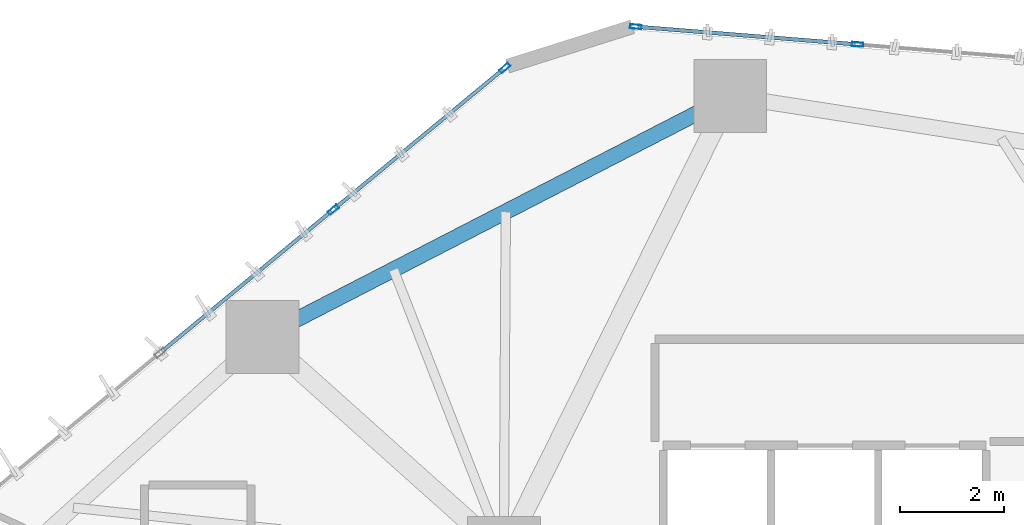
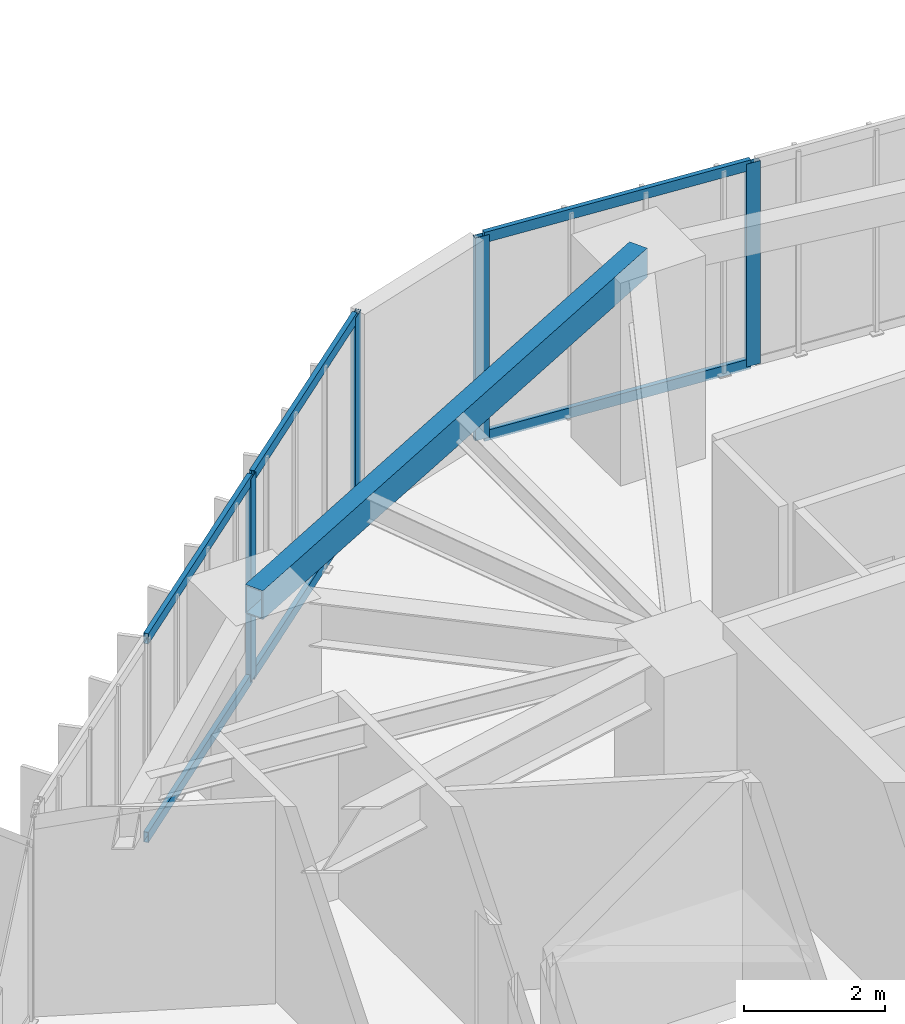
# One storey, part 14 of 23: 10 members, 1 beam, 2 elements without a shape of their own.
"""IFC4 building model written with IfcOpenShell, lengths in metres."""

from ifc_helpers import new_model, si_unit, direction, frame, origin, origin_2d, place, context, subcontext, project, spatial, hollow_rectangle, extrude, source, transform, mapped, material, layer, layer_set, material_profile, profile_set, type_object, type_shapes, element, aggregate, save


model = new_model("IFC4")

# Units and contexts
model_context = context("Model", 3, precision=1e-05, world=origin(), true_north=direction((0.0, 1.0)))
body_context = subcontext(model_context, "Body", "Model", "MODEL_VIEW")
ifc_project = project(units=[si_unit("LENGTHUNIT", "METRE"), si_unit("AREAUNIT", "SQUARE_METRE"), si_unit("VOLUMEUNIT", "CUBIC_METRE"), si_unit("PLANEANGLEUNIT", "RADIAN"), si_unit("MASSUNIT", "GRAM", prefix="KILO")], contexts=[model_context])

# Site, building, storey
site_placement = place(None, origin())
site = spatial("IfcSite", under=ifc_project, at=site_placement, CompositionType="ELEMENT")
building_placement = place(site_placement, origin())
building = spatial("IfcBuilding", under=site, at=building_placement, Name="Talar Marvaseh", CompositionType="ELEMENT")
storey_placement = place(building_placement, frame((0.0, 0.0, 77.199951171875)))
storey = spatial("IfcBuildingStorey", under=building, at=storey_placement, Name="L19", CompositionType="ELEMENT", Elevation=77.199951171875)

# Beam
ifc_material_1 = material(Name="Steel S355", Category="steel")
ifc_material_profile_1 = material_profile(ifc_material_1, hollow_rectangle(XDim=0.300048828125, YDim=0.5, WallThickness=0.02001953125, at=origin_2d()), Name="RHS500x300x20")
ifc_profile_set_1 = profile_set([ifc_material_profile_1], Name="Steel S355")
beam_type = type_object("IfcBeamType", Name="Zone 1 Perimeter Spandrel Beam RHS500x300x20", PredefinedType="SPANDREL", material=ifc_profile_set_1)
beam_placement = place(storey_placement, frame((14.069091796875, 41.04296875, 3.27001953125), z_axis=(0.889015710182, 0.457876694155, 0.0), x_axis=(-0.457876694155, 0.889015710182, 0.0)))
element("IfcBeam", 1, at=beam_placement, inside=storey, type_object=beam_type, Name="L19 Zone 1 Perimeter Spandrel Beam RHS500x300x20", PredefinedType="SPANDREL", context=body_context, shape_type="SweptSolid", body=[
    extrude(hollow_rectangle(XDim=0.300048828125, YDim=0.5, WallThickness=0.02001953125, at=origin_2d()), origin(), (0.0, 0.0, 1.0), 10.098876953125),
])

# Curtain wall, members
ifc_material_2 = material(Name="Architectural Aluminium", Category="aluminium")
ifc_layer = layer(ifc_material_2, 0.219970703125)
ifc_layer_set = layer_set([ifc_layer], Name="Architectural Aluminium")
curtain_wall_type = type_object("IfcCurtainWallType", Name="Unitised Low-E Museum Curtain Wall Z1", PredefinedType="NOTDEFINED", material=ifc_layer_set)
curtain_wall_1_placement = place(storey_placement, origin())
curtain_wall_1 = element("IfcCurtainWall", 2, at=curtain_wall_1_placement, inside=storey, type_object=curtain_wall_type, Name="L19 Unitised Low-E Museum Curtain Wall Z1", PredefinedType="NOTDEFINED")
ifc_material_profile_2 = material_profile(ifc_material_2, hollow_rectangle(XDim=0.080078125, YDim=0.219970703125, WallThickness=0.0048828125, at=origin_2d()), Name="RHS220x80x5")
ifc_profile_set_2 = profile_set([ifc_material_profile_2], Name="Architectural Aluminium")
member_type_1 = type_object("IfcMemberType", Name="Unitised Curtain Wall Heavy Mullion RHS220x80x5", PredefinedType="MULLION", material=ifc_profile_set_2)
shared_shape_1 = source(origin(), body_context, "Body", "SweptSolid", [
    extrude(hollow_rectangle(XDim=0.080078125, YDim=0.219970703125, WallThickness=0.0048828125, at=origin_2d()), origin(), (0.0, 0.0, 1.0), 3.52001953125),
])
type_shapes(member_type_1, [shared_shape_1])
member_1_placement = place(storey_placement, frame((15.427001953125, 43.486083984375, 0.0), z_axis=(0.0, 0.0, 1.0), x_axis=(-0.636994414935, 0.77086841636, 0.0)))
member_1 = element("IfcMember", 3, at=member_1_placement, type_object=member_type_1, Name="CW-Z1 mullion 4", PredefinedType="MULLION", context=body_context, shape_type="MappedRepresentation", body=[
    mapped(shared_shape_1, transform((0.0, 0.0, 0.0), x_axis=(1.0, 0.0, 0.0), y_axis=(0.0, 1.0, 0.0), z_axis=(0.0, 0.0, 1.0), scale=1.0)),
])
member_2_placement = place(storey_placement, frame((18.719970703125, 46.207275390625, 0.0), z_axis=(0.0, 0.0, 1.0), x_axis=(-0.636994414935, 0.77086841636, 0.0)))
member_2 = element("IfcMember", 4, at=member_2_placement, type_object=member_type_1, Name="CW-Z1 mullion 5", PredefinedType="MULLION", context=body_context, shape_type="MappedRepresentation", body=[
    mapped(shared_shape_1, transform((0.0, 0.0, 0.0), x_axis=(1.0, 0.0, 0.0), y_axis=(0.0, 1.0, 0.0), z_axis=(0.0, 0.0, 1.0), scale=1.0)),
])

curtain_wall_2_placement = place(storey_placement, origin())
curtain_wall_2 = element("IfcCurtainWall", 5, at=curtain_wall_2_placement, inside=storey, type_object=curtain_wall_type, Name="L19 Unitised Low-E Museum Curtain Wall Z1", PredefinedType="NOTDEFINED")
member_3_placement = place(storey_placement, frame((21.2333984375, 46.999755859375, 0.0), z_axis=(0.0, 0.0, 1.0), x_axis=(0.079640140412, 0.996823679512, 0.0)))
member_3 = element("IfcMember", 6, at=member_3_placement, type_object=member_type_1, Name="CW-Z1 mullion 1", PredefinedType="MULLION", context=body_context, shape_type="MappedRepresentation", body=[
    mapped(shared_shape_1, transform((0.0, 0.0, 0.0), x_axis=(1.0, 0.0, 0.0), y_axis=(0.0, 1.0, 0.0), z_axis=(0.0, 0.0, 1.0), scale=1.0)),
])
member_4_placement = place(storey_placement, frame((25.49169921875, 46.659423828125, 0.0), z_axis=(0.0, 0.0, 1.0), x_axis=(0.079640140412, 0.996823679512, 0.0)))
member_4 = element("IfcMember", 7, at=member_4_placement, type_object=member_type_1, Name="CW-Z1 mullion 2", PredefinedType="MULLION", context=body_context, shape_type="MappedRepresentation", body=[
    mapped(shared_shape_1, transform((0.0, 0.0, 0.0), x_axis=(1.0, 0.0, 0.0), y_axis=(0.0, 1.0, 0.0), z_axis=(0.0, 0.0, 1.0), scale=1.0)),
])

# Member
ifc_material_profile_3 = material_profile(ifc_material_2, hollow_rectangle(XDim=0.074951171875, YDim=0.179931640625, WallThickness=0.0048828125, at=origin_2d()), Name="RHS180x75x5")
ifc_profile_set_3 = profile_set([ifc_material_profile_3], Name="Architectural Aluminium")
member_type_2 = type_object("IfcMemberType", Name="Unitised Curtain Wall Transom RHS180x75x5", PredefinedType="USERDEFINED", material=ifc_profile_set_3)
shared_shape_2 = source(origin(), body_context, "Body", "SweptSolid", [
    extrude(hollow_rectangle(XDim=0.074951171875, YDim=0.179931640625, WallThickness=0.0048828125, at=origin_2d()), origin(), (0.0, 0.0, 1.0), 4.19189453125),
])
member_5_placement = place(storey_placement, frame((15.457763671875, 43.51171875, 0.03759765625), z_axis=(0.770878440709, 0.636982283623, 0.0), x_axis=(-0.636982283623, 0.770878440709, 0.0)))
member_5 = element("IfcMember", 8, at=member_5_placement, type_object=member_type_2, Name="CW-Z1 transom 4.1", ObjectType="TRANSOM", PredefinedType="USERDEFINED", context=body_context, shape_type="MappedRepresentation", body=[
    mapped(shared_shape_2, transform((0.0, 0.0, 0.0), x_axis=(1.0, 0.0, 0.0), y_axis=(0.0, 1.0, 0.0), z_axis=(0.0, 0.0, 1.0), scale=1.0)),
])

member_6_placement = place(storey_placement, frame((15.457763671875, 43.51171875, 3.482666015625), z_axis=(0.770878440709, 0.636982283623, 0.0), x_axis=(-0.636982283623, 0.770878440709, 0.0)))
member_6 = element("IfcMember", 9, at=member_6_placement, type_object=member_type_2, Name="CW-Z1 transom 4.2", ObjectType="TRANSOM", PredefinedType="USERDEFINED", context=body_context, shape_type="MappedRepresentation", body=[
    mapped(shared_shape_2, transform((0.0, 0.0, 0.0), x_axis=(1.0, 0.0, 0.0), y_axis=(0.0, 1.0, 0.0), z_axis=(0.0, 0.0, 1.0), scale=1.0)),
])

shared_shape_3 = source(origin(), body_context, "Body", "SweptSolid", [
    extrude(hollow_rectangle(XDim=0.074951171875, YDim=0.179931640625, WallThickness=0.0048828125, at=origin_2d()), origin(), (0.0, 0.0, 1.0), 4.23193359375),
])
member_7_placement = place(storey_placement, frame((12.134033203125, 40.764892578125, 0.03759765625), z_axis=(0.770853361107, 0.637012633838, 0.0), x_axis=(-0.637012633838, 0.770853361107, 0.0)))
member_7 = element("IfcMember", 10, at=member_7_placement, type_object=member_type_2, Name="CW-Z1 transom 3.1", ObjectType="TRANSOM", PredefinedType="USERDEFINED", context=body_context, shape_type="MappedRepresentation", body=[
    mapped(shared_shape_3, transform((0.0, 0.0, 0.0), x_axis=(1.0, 0.0, 0.0), y_axis=(0.0, 1.0, 0.0), z_axis=(0.0, 0.0, 1.0), scale=1.0)),
])

member_8_placement = place(storey_placement, frame((12.134033203125, 40.764892578125, 3.482666015625), z_axis=(0.770853361107, 0.637012633838, 0.0), x_axis=(-0.637012633838, 0.770853361107, 0.0)))
member_8 = element("IfcMember", 11, at=member_8_placement, type_object=member_type_2, Name="CW-Z1 transom 3.2", ObjectType="TRANSOM", PredefinedType="USERDEFINED", context=body_context, shape_type="MappedRepresentation", body=[
    mapped(shared_shape_3, transform((0.0, 0.0, 0.0), x_axis=(1.0, 0.0, 0.0), y_axis=(0.0, 1.0, 0.0), z_axis=(0.0, 0.0, 1.0), scale=1.0)),
])

aggregate(curtain_wall_1, [member_1, member_2, member_7, member_8, member_5, member_6])

shared_shape_4 = source(origin(), body_context, "Body", "SweptSolid", [
    extrude(hollow_rectangle(XDim=0.074951171875, YDim=0.179931640625, WallThickness=0.0048828125, at=origin_2d()), origin(), (0.0, 0.0, 1.0), 4.192138671875),
])
type_shapes(member_type_2, [shared_shape_2, shared_shape_3, shared_shape_4])
member_9_placement = place(storey_placement, frame((21.273193359375, 46.99658203125, 0.03759765625), z_axis=(0.996821201548, -0.079671150019, 0.0), x_axis=(0.079671150019, 0.996821201548, 0.0)))
member_9 = element("IfcMember", 12, at=member_9_placement, type_object=member_type_2, Name="CW-Z1 transom 1.1", ObjectType="TRANSOM", PredefinedType="USERDEFINED", context=body_context, shape_type="MappedRepresentation", body=[
    mapped(shared_shape_4, transform((0.0, 0.0, 0.0), x_axis=(1.0, 0.0, 0.0), y_axis=(0.0, 1.0, 0.0), z_axis=(0.0, 0.0, 1.0), scale=1.0)),
])

member_10_placement = place(storey_placement, frame((21.273193359375, 46.99658203125, 3.482666015625), z_axis=(0.996821201548, -0.079671150019, 0.0), x_axis=(0.079671150019, 0.996821201548, 0.0)))
member_10 = element("IfcMember", 13, at=member_10_placement, type_object=member_type_2, Name="CW-Z1 transom 1.2", ObjectType="TRANSOM", PredefinedType="USERDEFINED", context=body_context, shape_type="MappedRepresentation", body=[
    mapped(shared_shape_4, transform((0.0, 0.0, 0.0), x_axis=(1.0, 0.0, 0.0), y_axis=(0.0, 1.0, 0.0), z_axis=(0.0, 0.0, 1.0), scale=1.0)),
])

aggregate(curtain_wall_2, [member_3, member_4, member_9, member_10])

save(model, "model.ifc")
